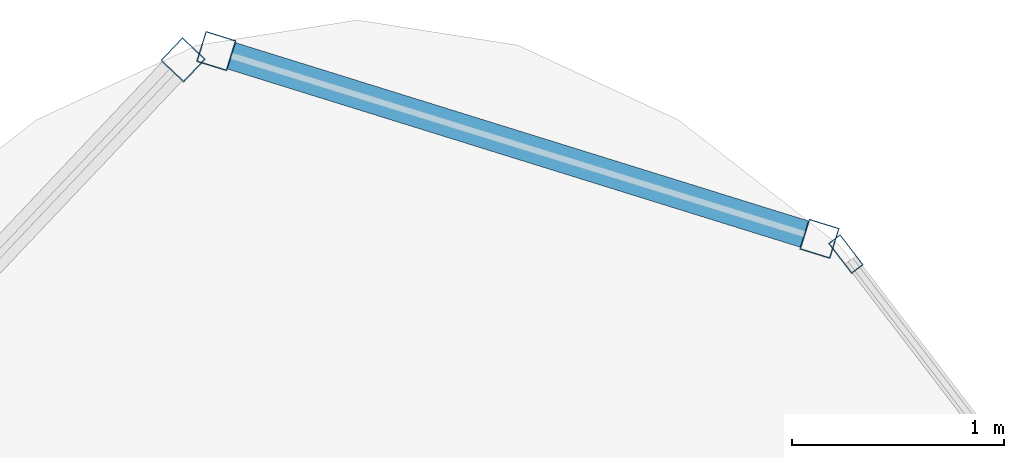
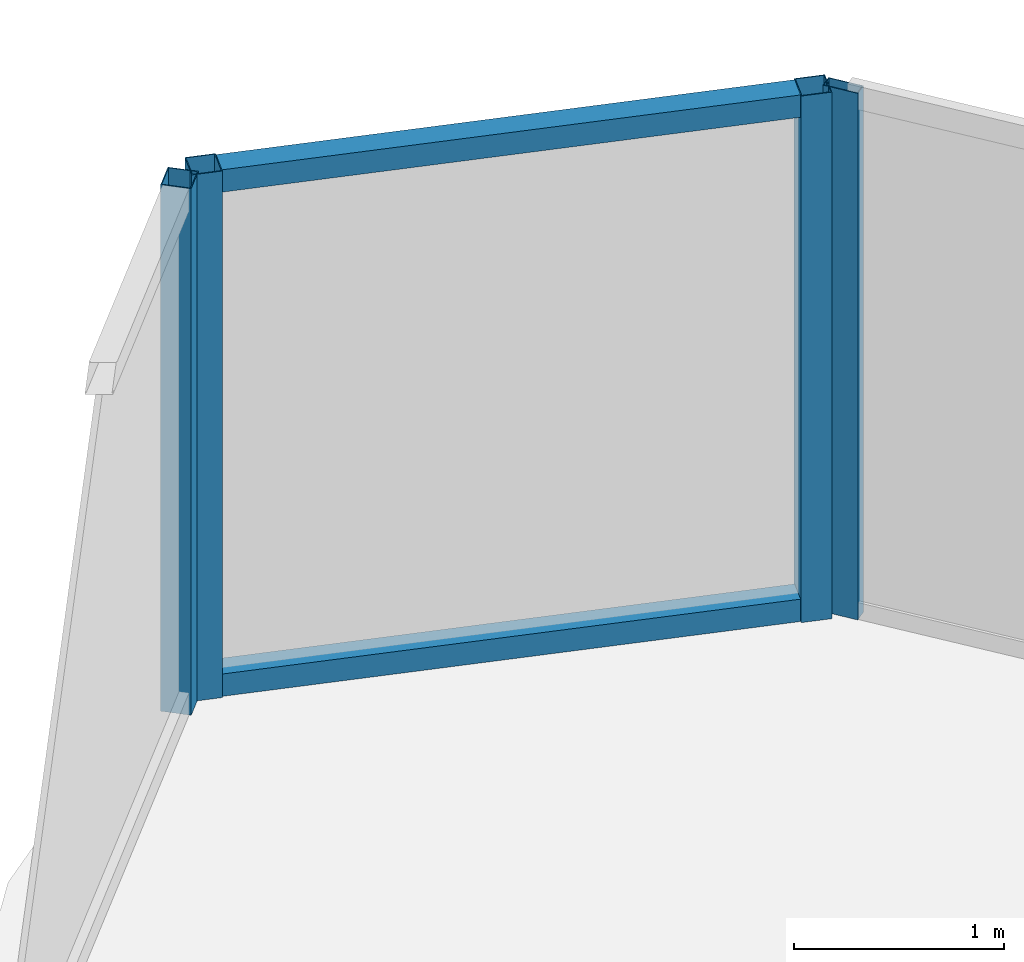
# One storey, part 21 of 31: 6 members, 3 elements without a shape of their own.
"""IFC4 building model written with IfcOpenShell, lengths in metres."""

from ifc_helpers import new_model, si_unit, direction, frame, origin, origin_2d, place, context, subcontext, project, spatial, hollow_rectangle, extrude, material, layer, layer_set, material_profile, profile_set, type_object, element, aggregate, save


model = new_model("IFC4")

# Units and contexts
model_context = context("Model", 3, precision=1e-05, world=origin(), true_north=direction((0.0, 1.0)))
body_context = subcontext(model_context, "Body", "Model", "MODEL_VIEW")
ifc_project = project(units=[si_unit("LENGTHUNIT", "METRE"), si_unit("AREAUNIT", "SQUARE_METRE"), si_unit("VOLUMEUNIT", "CUBIC_METRE"), si_unit("PLANEANGLEUNIT", "RADIAN"), si_unit("MASSUNIT", "GRAM", prefix="KILO")], contexts=[model_context])

# Site, building, storey
site_placement = place(None, origin())
site = spatial("IfcSite", under=ifc_project, at=site_placement, CompositionType="ELEMENT")
building_placement = place(site_placement, origin())
building = spatial("IfcBuilding", under=site, at=building_placement, Name="Orvanel Arch Residences", CompositionType="ELEMENT")
storey_placement = place(building_placement, frame((0.0, 0.0, 110.0)))
storey = spatial("IfcBuildingStorey", under=building, at=storey_placement, Name="L30", CompositionType="ELEMENT", Elevation=110.0)

# Curtain wall, members
ifc_material = material(Name="Bronze-anodised aluminium AA6063-T6", Category="aluminium")
ifc_layer_1 = layer(ifc_material, 0.18994140625)
ifc_layer_set_1 = layer_set([ifc_layer_1], Name="Bronze-anodised aluminium AA6063-T6")
curtain_wall_type_1 = type_object("IfcCurtainWallType", Name="CW5-CRN-SYS", PredefinedType="NOTDEFINED", material=ifc_layer_set_1)
curtain_wall_1_placement = place(storey_placement, origin())
curtain_wall_1 = element("IfcCurtainWall", 1, at=curtain_wall_1_placement, inside=storey, type_object=curtain_wall_type_1, Name="L30 CW5-CRN-SYS Unitised Curtain Wall", PredefinedType="NOTDEFINED")
ifc_material_profile_1 = material_profile(ifc_material, hollow_rectangle(XDim=0.14990234375, YDim=0.14990234375, WallThickness=0.0048828125, at=origin_2d()), Name="ALU150x150x5")
ifc_profile_set_1 = profile_set([ifc_material_profile_1], Name="Bronze-anodised aluminium AA6063-T6")
member_type_1 = type_object("IfcMemberType", Name="MUL-150x150", PredefinedType="MULLION", material=ifc_profile_set_1)
member_1_placement = place(storey_placement, frame((35.17529296875, 48.624267578125, 0.0), z_axis=(0.0, 0.0, 1.0), x_axis=(-0.297053581385, -0.954860811734, 0.0)))
member_1 = element("IfcMember", 2, at=member_1_placement, type_object=member_type_1, Name="CW-S5 mullion 1", PredefinedType="MULLION", context=body_context, shape_type="SweptSolid", body=[
    extrude(hollow_rectangle(XDim=0.14990234375, YDim=0.14990234375, WallThickness=0.0048828125, at=origin_2d()), origin(), (0.0, 0.0, 1.0), 3.06005859375),
])
member_2_placement = place(storey_placement, frame((32.335693359375, 49.5078125, 0.0), z_axis=(0.0, 0.0, 1.0), x_axis=(-0.297053581385, -0.954860811734, 0.0)))
member_2 = element("IfcMember", 3, at=member_2_placement, type_object=member_type_1, Name="CW-S5 mullion 2", PredefinedType="MULLION", context=body_context, shape_type="SweptSolid", body=[
    extrude(hollow_rectangle(XDim=0.14990234375, YDim=0.14990234375, WallThickness=0.0048828125, at=origin_2d()), origin(), (0.0, 0.0, 1.0), 3.06005859375),
])

# Curtain wall, member
curtain_wall_2_placement = place(storey_placement, origin())
curtain_wall_2 = element("IfcCurtainWall", 4, at=curtain_wall_2_placement, inside=storey, type_object=curtain_wall_type_1, Name="L30 CW5-CRN-SYS Unitised Curtain Wall", PredefinedType="NOTDEFINED")
member_3_placement = place(storey_placement, frame((32.179443359375, 49.466552734375, 0.0), z_axis=(0.0, 0.0, 1.0), x_axis=(0.7265167041, -0.687148803873, 0.0)))
member_3 = element("IfcMember", 5, at=member_3_placement, type_object=member_type_1, Name="CW-S5 mullion 1", PredefinedType="MULLION", context=body_context, shape_type="SweptSolid", body=[
    extrude(hollow_rectangle(XDim=0.14990234375, YDim=0.14990234375, WallThickness=0.0048828125, at=origin_2d()), origin(), (0.0, 0.0, 1.0), 3.06005859375),
])
aggregate(curtain_wall_2, [member_3])

ifc_layer_2 = layer(ifc_material, 0.179931640625)
ifc_layer_set_2 = layer_set([ifc_layer_2], Name="Bronze-anodised aluminium AA6063-T6")
curtain_wall_type_2 = type_object("IfcCurtainWallType", Name="CW3-MID-SYS", PredefinedType="NOTDEFINED", material=ifc_layer_set_2)
curtain_wall_3_placement = place(storey_placement, origin())
curtain_wall_3 = element("IfcCurtainWall", 6, at=curtain_wall_3_placement, inside=storey, type_object=curtain_wall_type_2, Name="L30 CW3-MID-SYS Unitised Curtain Wall", PredefinedType="NOTDEFINED")
ifc_material_profile_2 = material_profile(ifc_material, hollow_rectangle(XDim=0.070068359375, YDim=0.179931640625, WallThickness=0.00439453125, at=origin_2d()), Name="ALU180x70x4.5")
ifc_profile_set_2 = profile_set([ifc_material_profile_2], Name="Bronze-anodised aluminium AA6063-T6")
member_type_2 = type_object("IfcMemberType", Name="MUL-180x70", PredefinedType="MULLION", material=ifc_profile_set_2)
member_4_placement = place(storey_placement, frame((35.29931640625, 48.55224609375, 0.0), z_axis=(0.0, 0.0, 1.0), x_axis=(-0.794009853454, -0.607904887805, 0.0)))
member_4 = element("IfcMember", 7, at=member_4_placement, type_object=member_type_2, Name="CW-S3 mullion 4", PredefinedType="MULLION", context=body_context, shape_type="SweptSolid", body=[
    extrude(hollow_rectangle(XDim=0.070068359375, YDim=0.179931640625, WallThickness=0.00439453125, at=origin_2d()), origin(), (0.0, 0.0, 1.0), 3.06005859375),
])
aggregate(curtain_wall_3, [member_4])

# Member
ifc_material_profile_3 = material_profile(ifc_material, hollow_rectangle(XDim=0.1298828125, YDim=0.1298828125, WallThickness=0.00439453125, at=origin_2d()), Name="ALU130x130x4.5")
ifc_profile_set_3 = profile_set([ifc_material_profile_3], Name="Bronze-anodised aluminium AA6063-T6")
member_type_3 = type_object("IfcMemberType", Name="TRN-130x130", PredefinedType="USERDEFINED", material=ifc_profile_set_3)
member_5_placement = place(storey_placement, frame((35.103759765625, 48.646484375, 0.06494140625), z_axis=(-0.954862225643, 0.297049036424, 0.0), x_axis=(-0.297049036424, -0.954862225643, 0.0)))
member_5 = element("IfcMember", 8, at=member_5_placement, type_object=member_type_3, Name="CW-S5 transom 1.1", ObjectType="TRANSOM", PredefinedType="USERDEFINED", context=body_context, shape_type="SweptSolid", body=[
    extrude(hollow_rectangle(XDim=0.1298828125, YDim=0.1298828125, WallThickness=0.00439453125, at=origin_2d()), origin(), (0.0, 0.0, 1.0), 2.823974609375),
])

member_6_placement = place(storey_placement, frame((35.103759765625, 48.646484375, 2.9951171875), z_axis=(-0.954862225643, 0.297049036424, 0.0), x_axis=(-0.297049036424, -0.954862225643, 0.0)))
member_6 = element("IfcMember", 9, at=member_6_placement, type_object=member_type_3, Name="CW-S5 transom 1.2", ObjectType="TRANSOM", PredefinedType="USERDEFINED", context=body_context, shape_type="SweptSolid", body=[
    extrude(hollow_rectangle(XDim=0.1298828125, YDim=0.1298828125, WallThickness=0.00439453125, at=origin_2d()), origin(), (0.0, 0.0, 1.0), 2.823974609375),
])

aggregate(curtain_wall_1, [member_1, member_2, member_5, member_6])

save(model, "model.ifc")
